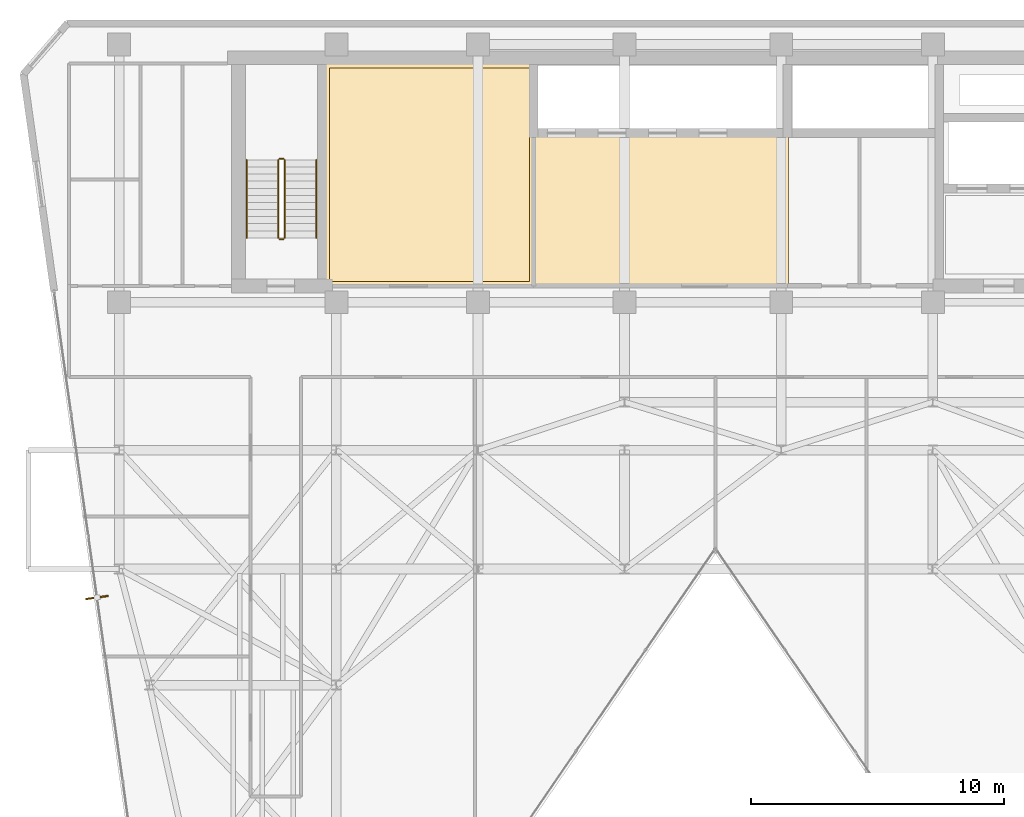
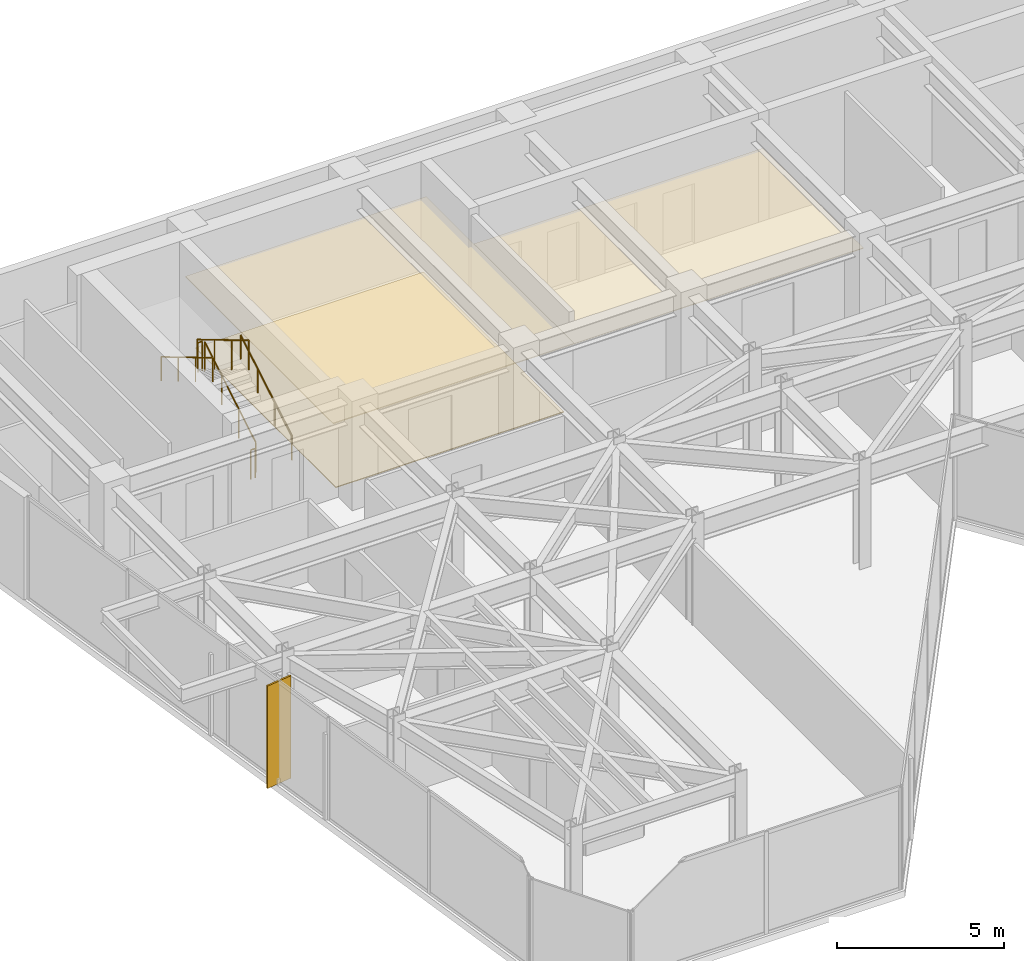
# One storey, part 25 of 26: 6 railings, 3 coverings, 1 shading device.
"""IFC4 building model written with IfcOpenShell, lengths in metres."""

from ifc_helpers import new_model, si_unit, direction, frame, origin, origin_2d, place, context, subcontext, project, spatial, polyline, rectangle, circle, outline, extrude, material, layer, layer_set, type_object, element, save


model = new_model("IFC4")

# Units and contexts
model_context = context("Model", 3, precision=1e-05, world=origin(), true_north=direction((0.0, 1.0)))
body_context = subcontext(model_context, "Body", "Model", "MODEL_VIEW")
ifc_project = project(units=[si_unit("LENGTHUNIT", "METRE"), si_unit("AREAUNIT", "SQUARE_METRE"), si_unit("VOLUMEUNIT", "CUBIC_METRE"), si_unit("PLANEANGLEUNIT", "RADIAN"), si_unit("MASSUNIT", "GRAM", prefix="KILO")], contexts=[model_context])

# Site, building, storey
site_placement = place(None, origin())
site = spatial("IfcSite", under=ifc_project, at=site_placement, CompositionType="ELEMENT")
building_placement = place(site_placement, origin())
building = spatial("IfcBuilding", under=site, at=building_placement, Name="Kravanh Interchange Tower", CompositionType="ELEMENT")
storey_placement = place(building_placement, frame((0.0, 0.0, 212.5)))
storey = spatial("IfcBuildingStorey", under=building, at=storey_placement, Name="L51", CompositionType="ELEMENT", Elevation=212.5)

# Coverings
ifc_material_1 = material(Name="Cementitious Terrazzo Tile")
ifc_layer_1 = layer(ifc_material_1, 0.030029296875)
ifc_layer_set_1 = layer_set([ifc_layer_1], Name="Honed Terrazzo Lobby Flooring 30mm")
covering_type_1 = type_object("IfcCoveringType", Name="Honed Terrazzo Lobby Flooring 30mm", PredefinedType="FLOORING", material=ifc_layer_set_1)
covering_1_placement = place(storey_placement, origin())
element("IfcCovering", 1, at=covering_1_placement, inside=storey, type_object=covering_type_1, Name="L51 Tenant Wellness and Prayer Suite Floor Finish", PredefinedType="FLOORING", context=body_context, shape_type="SweptSolid", body=[
    extrude(outline(polyline([(26.929931640625, 46.6201171875), (34.840087890625, 46.6201171875), (34.840087890625, 38.179931640625), (26.929931640625, 38.179931640625), (26.929931640625, 46.6201171875)])), origin(), (0.0, 0.0, 1.0), 0.030029296875),
])
ifc_material_2 = material(Name="Anodised Bronze Aluminium Acoustic Baffle", Category="aluminium")
ifc_layer_2 = layer(ifc_material_2, 0.034912109375)
ifc_layer_set_2 = layer_set([ifc_layer_2], Name="Linear Bronze Baffle Feature Ceiling 35mm")
covering_type_2 = type_object("IfcCoveringType", Name="Linear Bronze Baffle Feature Ceiling 35mm", PredefinedType="CEILING", material=ifc_layer_set_2)
covering_2_placement = place(storey_placement, frame((0.0, 0.0, 2.550048828125)))
element("IfcCovering", 2, at=covering_2_placement, inside=storey, type_object=covering_type_2, Name="L51 Tenant Wellness and Prayer Suite Suspended Ceiling", PredefinedType="CEILING", context=body_context, shape_type="SweptSolid", body=[
    extrude(outline(polyline([(35.06005859375, 37.9599609375), (26.7099609375, 37.9599609375), (26.7099609375, 46.840087890625), (35.06005859375, 46.840087890625), (35.06005859375, 37.9599609375)])), origin(), (0.0, 0.0, 1.0), 0.034912109375),
])
ifc_material_3 = material(Name="Acoustic Mineral Fibre Tile on Aluminium Grid", Category="aluminium")
ifc_layer_3 = layer(ifc_material_3, 0.02490234375)
ifc_layer_set_3 = layer_set([ifc_layer_3], Name="Perforated Acoustic Mineral Ceiling 25mm")
covering_type_3 = type_object("IfcCoveringType", Name="Perforated Acoustic Mineral Ceiling 25mm", PredefinedType="CEILING", material=ifc_layer_set_3)
covering_3_placement = place(storey_placement, frame((0.0, 0.0, 2.550048828125)))
element("IfcCovering", 3, at=covering_3_placement, inside=storey, type_object=covering_type_3, Name="L51 Mid-Rise Lift Lobby Suspended Ceiling", PredefinedType="CEILING", context=body_context, shape_type="SweptSolid", body=[
    extrude(outline(polyline([(45.090087890625, 37.9599609375), (34.93994140625, 37.9599609375), (34.93994140625, 43.989990234375), (45.090087890625, 43.989990234375), (45.090087890625, 37.9599609375)])), origin(), (0.0, 0.0, 1.0), 0.02490234375),
])

# Railings
ifc_material_4 = material(Name="Structural Steel S355", Category="steel")
ifc_layer_4 = layer(ifc_material_4, 0.050048828125)
ifc_layer_set_4 = layer_set([ifc_layer_4], Name="Stair Well Guardrail Structural Steel S355 1100mm")
railing_type_1 = type_object("IfcRailingType", Name="Stair Well Guardrail Structural Steel S355 1100mm", PredefinedType="GUARDRAIL", material=ifc_layer_set_4)
railing_1_placement = place(storey_placement, frame((25.14990234375, 39.89990234375, 0.166748046875)))
element("IfcRailing", 4, at=railing_1_placement, inside=storey, type_object=railing_type_1, Name="L51 ST3 stair guard 1", PredefinedType="GUARDRAIL", context=body_context, shape_type="SweptSolid", body=[
    extrude(circle(Radius=0.02392578125, at=origin_2d()), frame((0.0, 0.0, 1.076171875), z_axis=(0.0, 0.859308565015, 0.511457515432), x_axis=(-1.0, 0.0, 0.0)), (0.0, 0.0, 1.0), 3.58447265625),
    extrude(circle(Radius=0.02099609375, at=origin_2d()), origin(), (0.0, 0.0, 1.0), 1.052001953125),
    extrude(circle(Radius=0.02099609375, at=origin_2d()), frame((0.0, 1.026611328125, 0.611083984375)), (0.0, 0.0, 1.0), 1.052001953125),
    extrude(circle(Radius=0.02099609375, at=origin_2d()), frame((0.0, 2.053466796875, 1.22216796875)), (0.0, 0.0, 1.0), 1.052001953125),
    extrude(circle(Radius=0.02099609375, at=origin_2d()), frame((0.0, 3.080078125, 1.833251953125)), (0.0, 0.0, 1.0), 1.052001953125),
])
railing_2_placement = place(storey_placement, frame((25.10009765625, 43.030029296875, 2.0)))
element("IfcRailing", 5, at=railing_2_placement, inside=storey, type_object=railing_type_1, Name="L51 ST3 stair guard 2", PredefinedType="GUARDRAIL", context=body_context, shape_type="SweptSolid", body=[
    extrude(circle(Radius=0.02392578125, at=origin_2d()), frame((0.0, 0.0, 1.076171875), z_axis=(-1.0, 0.0, 0.0), x_axis=(0.0, -1.0, 0.0)), (0.0, 0.0, 1.0), 0.150146484375),
    extrude(circle(Radius=0.02099609375, at=origin_2d()), origin(), (0.0, 0.0, 1.0), 1.052001953125),
    extrude(circle(Radius=0.02099609375, at=origin_2d()), frame((-0.150146484375, 0.0, 0.0)), (0.0, 0.0, 1.0), 1.052001953125),
])
railing_3_placement = place(storey_placement, frame((24.89990234375, 42.97998046875, 2.166748046875)))
element("IfcRailing", 6, at=railing_3_placement, inside=storey, type_object=railing_type_1, Name="L51 ST3 stair guard 3", PredefinedType="GUARDRAIL", context=body_context, shape_type="SweptSolid", body=[
    extrude(circle(Radius=0.02392578125, at=origin_2d()), frame((0.0, 0.0, 1.076171875), z_axis=(0.0, -0.859308565015, 0.511457515432), x_axis=(1.0, 0.0, 0.0)), (0.0, 0.0, 1.0), 3.58447265625),
    extrude(circle(Radius=0.02099609375, at=origin_2d()), origin(), (0.0, 0.0, 1.0), 1.052001953125),
    extrude(circle(Radius=0.02099609375, at=origin_2d()), frame((0.0, -1.026611328125, 0.611083984375)), (0.0, 0.0, 1.0), 1.052001953125),
    extrude(circle(Radius=0.02099609375, at=origin_2d()), frame((0.0, -2.053466796875, 1.22216796875)), (0.0, 0.0, 1.0), 1.052001953125),
    extrude(circle(Radius=0.02099609375, at=origin_2d()), frame((0.0, -3.080078125, 1.833251953125)), (0.0, 0.0, 1.0), 1.052001953125),
])
railing_4_placement = place(storey_placement, frame((25.10009765625, 39.85009765625, 0.0)))
element("IfcRailing", 7, at=railing_4_placement, inside=storey, type_object=railing_type_1, Name="L51 ST3 stair guard 4", PredefinedType="GUARDRAIL", context=body_context, shape_type="SweptSolid", body=[
    extrude(circle(Radius=0.02392578125, at=origin_2d()), frame((0.0, 0.0, 1.076171875), z_axis=(-1.0, 0.0, 0.0), x_axis=(0.0, -1.0, 0.0)), (0.0, 0.0, 1.0), 0.150146484375),
    extrude(circle(Radius=0.02099609375, at=origin_2d()), origin(), (0.0, 0.0, 1.0), 1.052001953125),
    extrude(circle(Radius=0.02099609375, at=origin_2d()), frame((-0.150146484375, 0.0, 0.0)), (0.0, 0.0, 1.0), 1.052001953125),
])
ifc_material_5 = material(Name="Stainless Steel 304", Category="steel")
ifc_layer_5 = layer(ifc_material_5, 0.044921875)
ifc_layer_set_5 = layer_set([ifc_layer_5], Name="Tubular Stair Handrail Stainless 304 900mm")
railing_type_2 = type_object("IfcRailingType", Name="Tubular Stair Handrail Stainless 304 900mm", PredefinedType="HANDRAIL", material=ifc_layer_set_5)
railing_5_placement = place(storey_placement, frame((26.39990234375, 39.89990234375, 0.166748046875)))
element("IfcRailing", 8, at=railing_5_placement, inside=storey, type_object=railing_type_2, Name="L51 ST3 stair handrail 1", PredefinedType="HANDRAIL", context=body_context, shape_type="SweptSolid", body=[
    extrude(circle(Radius=0.02392578125, at=origin_2d()), frame((0.0, 0.0, 0.8759765625), z_axis=(0.0, 0.859308565015, 0.511457515432), x_axis=(-1.0, 0.0, 0.0)), (0.0, 0.0, 1.0), 3.58447265625),
    extrude(circle(Radius=0.02099609375, at=origin_2d()), origin(), (0.0, 0.0, 1.0), 0.851806640625),
    extrude(circle(Radius=0.02099609375, at=origin_2d()), frame((0.0, 1.026611328125, 0.611083984375)), (0.0, 0.0, 1.0), 0.851806640625),
    extrude(circle(Radius=0.02099609375, at=origin_2d()), frame((0.0, 2.053466796875, 1.22216796875)), (0.0, 0.0, 1.0), 0.851806640625),
    extrude(circle(Radius=0.02099609375, at=origin_2d()), frame((0.0, 3.080078125, 1.833251953125)), (0.0, 0.0, 1.0), 0.851806640625),
])
railing_6_placement = place(storey_placement, frame((23.64990234375, 42.97998046875, 2.166748046875)))
element("IfcRailing", 9, at=railing_6_placement, inside=storey, type_object=railing_type_2, Name="L51 ST3 stair handrail 2", PredefinedType="HANDRAIL", context=body_context, shape_type="SweptSolid", body=[
    extrude(circle(Radius=0.02392578125, at=origin_2d()), frame((0.0, 0.0, 0.8759765625), z_axis=(0.0, -0.859308565015, 0.511457515432), x_axis=(1.0, 0.0, 0.0)), (0.0, 0.0, 1.0), 3.58447265625),
    extrude(circle(Radius=0.02099609375, at=origin_2d()), origin(), (0.0, 0.0, 1.0), 0.851806640625),
    extrude(circle(Radius=0.02099609375, at=origin_2d()), frame((0.0, -1.026611328125, 0.611083984375)), (0.0, 0.0, 1.0), 0.851806640625),
    extrude(circle(Radius=0.02099609375, at=origin_2d()), frame((0.0, -2.053466796875, 1.22216796875)), (0.0, 0.0, 1.0), 0.851806640625),
    extrude(circle(Radius=0.02099609375, at=origin_2d()), frame((0.0, -3.080078125, 1.833251953125)), (0.0, 0.0, 1.0), 0.851806640625),
])

# Shading device
ifc_material_6 = material(Name="Anodised Champagne Bronze Aluminium", Category="aluminium")
ifc_layer_6 = layer(ifc_material_6, 0.06005859375)
ifc_layer_set_6 = layer_set([ifc_layer_6], Name="Vertical Bronze Solar Fin 900mm")
shading_device_type = type_object("IfcShadingDeviceType", Name="Vertical Bronze Solar Fin 900mm", PredefinedType="USERDEFINED", material=ifc_layer_set_6)
shading_device_placement = place(storey_placement, frame((17.729736328125, 25.67041015625, 0.0), z_axis=(0.0, 0.0, 1.0), x_axis=(-0.990268182791, -0.139172289451, 0.0)))
element("IfcShadingDevice", 10, at=shading_device_placement, inside=storey, type_object=shading_device_type, Name="L51 BRONZE SOLAR FIN 1", ObjectType="FIN", PredefinedType="USERDEFINED", context=body_context, shape_type="SweptSolid", body=[
    extrude(rectangle(XDim=0.89990234375, YDim=0.06005859375, at=origin_2d()), origin(), (0.0, 0.0, 1.0), 3.7548828125),
])

save(model, "model.ifc")
